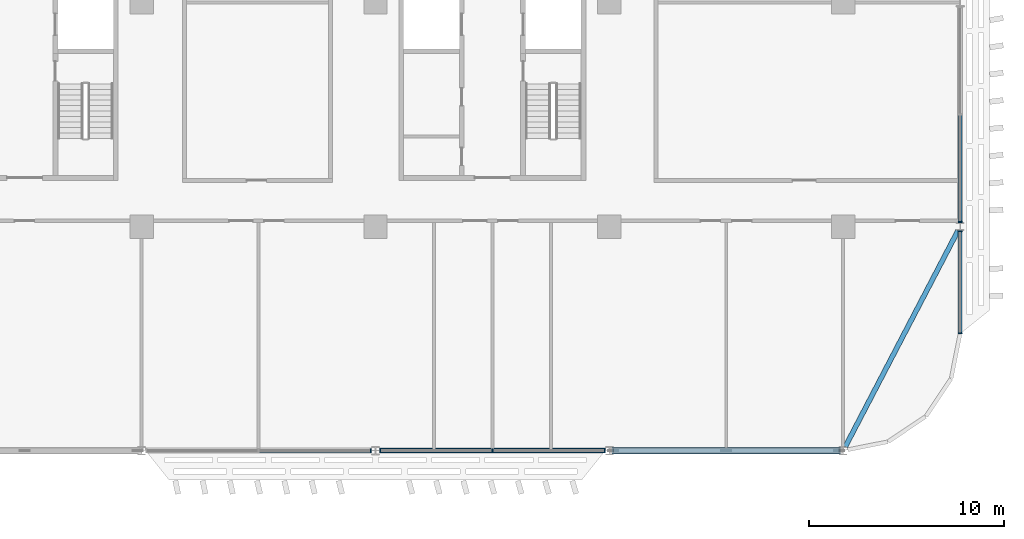
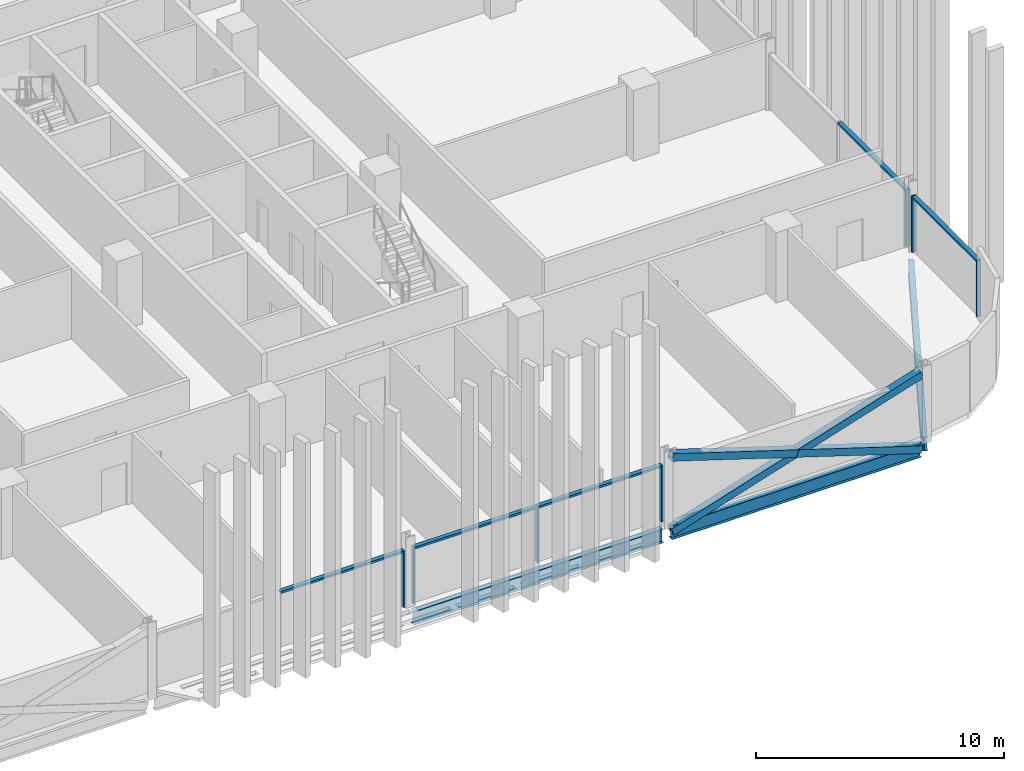
# One storey, part 8 of 28: 15 members, 3 beams, 4 elements without a shape of their own.
"""IFC4 building model written with IfcOpenShell, lengths in metres."""

import ifcopenshell
import ifcopenshell.guid

model = None  # the IFC model being written
_history = None  # IfcOwnerHistory: only IFC2X3 demands one
_inside = {}  # id of a spatial element -> (the spatial element, [elements in it])
_under = {}  # id of a project, library or spatial element -> (it, [spatial elements below it])
_declared = {}  # id of a project -> (the project, [libraries it declares])
_typed = {}  # id of a type object -> (the type object, [elements of that type])
_made_of = {}  # id of a material, layer set ... -> (it, [elements and type objects made of it])


def new_model(schema):
    """Start an empty IFC model of exactly this schema.

    Asked for "IFC4X3", IfcOpenShell would pick the latest addendum, in which some entities
    have other attributes; the version numbers below select the first issue.
    IFC2X3 requires an IfcOwnerHistory on every rooted entity: one is made here for all.
    """
    global model, _history
    if schema == "IFC4X3":
        model = ifcopenshell.file(schema_version=(4, 3, 0, 0))
    else:
        model = ifcopenshell.file(schema=schema)
    _inside.clear()
    _under.clear()
    _declared.clear()
    _typed.clear()
    _made_of.clear()
    _history = None
    if model.schema == "IFC2X3":
        org = make("IfcOrganization", Name="unknown")
        user = make(
            "IfcPersonAndOrganization",
            ThePerson=make("IfcPerson", FamilyName="unknown"),
            TheOrganization=org,
        )
        app = make(
            "IfcApplication",
            ApplicationDeveloper=org,
            Version="unknown",
            ApplicationFullName="unknown",
            ApplicationIdentifier="unknown",
        )
        _history = make(
            "IfcOwnerHistory",
            OwningUser=user,
            OwningApplication=app,
            ChangeAction="ADDED",
            CreationDate=0,
        )
    return model


def make(cls, **values):
    """One entity of the class cls with the attributes given. An attribute that is None is left unset."""
    return model.create_entity(
        cls, **{name: value for name, value in values.items() if value is not None}
    )


def rooted(cls, **values):
    """An entity with a GlobalId (a new one), such as an element, a storey or a relation."""
    return make(cls, GlobalId=ifcopenshell.guid.new(), OwnerHistory=_history, **values)


def si_unit(unit_type, name, prefix=None):
    """IfcSIUnit, for example si_unit("LENGTHUNIT", "METRE", prefix="MILLI")."""
    return make("IfcSIUnit", UnitType=unit_type, Prefix=prefix, Name=name)


def assignment(units):
    """IfcUnitAssignment: the units of a project."""
    return None if units is None else make("IfcUnitAssignment", Units=units)


def point(xyz):
    """IfcCartesianPoint."""
    return None if xyz is None else make("IfcCartesianPoint", Coordinates=xyz)


def direction(xyz):
    """IfcDirection."""
    return None if xyz is None else make("IfcDirection", DirectionRatios=xyz)


def frame(location, z_axis=None, x_axis=None):
    """IfcAxis2Placement3D, a coordinate frame: its origin and axes. An axis left out is left unset."""
    return make(
        "IfcAxis2Placement3D",
        Location=point(location),
        Axis=direction(z_axis),
        RefDirection=direction(x_axis),
    )


def frame_2d(location, x_axis=None):
    """IfcAxis2Placement2D, a coordinate frame in the plane: its origin and x axis."""
    return make(
        "IfcAxis2Placement2D", Location=point(location), RefDirection=direction(x_axis)
    )


def origin():
    """The frame at (0, 0, 0) with its axes left unset."""
    return frame((0.0, 0.0, 0.0))


def origin_2d():
    """The frame at (0, 0) in the plane with its x axis left unset."""
    return frame_2d((0.0, 0.0))


def place(relative_to, where):
    """IfcLocalPlacement: puts the frame where relative to a parent placement (None: the world)."""
    return make(
        "IfcLocalPlacement", PlacementRelTo=relative_to, RelativePlacement=where
    )


def context(
    kind, dimensions, precision=None, world=None, true_north=None, identifier=None
):
    """IfcGeometricRepresentationContext, for example the 3D "Model" context."""
    return make(
        "IfcGeometricRepresentationContext",
        ContextIdentifier=identifier,
        ContextType=kind,
        CoordinateSpaceDimension=dimensions,
        Precision=precision,
        WorldCoordinateSystem=world,
        TrueNorth=true_north,
    )


def subcontext(parent, identifier, kind, view, scale=None):
    """IfcGeometricRepresentationSubContext, for example "Body" below "Model"."""
    return make(
        "IfcGeometricRepresentationSubContext",
        ContextIdentifier=identifier,
        ContextType=kind,
        ParentContext=parent,
        TargetScale=scale,
        TargetView=view,
    )


def project(units=None, contexts=None):
    """IfcProject with its units and contexts."""
    return rooted(
        "IfcProject",
        Name="project",
        RepresentationContexts=contexts,
        UnitsInContext=assignment(units),
    )


def spatial(cls, under=None, at=None, **own):
    """A site, building, storey or space (cls), placed at a placement, below another one or the project."""
    s = rooted(cls, ObjectPlacement=at, **own)
    if under is not None:
        _under.setdefault(under.id(), (under, []))[1].append(s)
    return s


def profile(cls, at=None, kind="AREA", **sizes):
    """A parametric profile (cls). Its sizes go by their IFC names, for example OverallWidth=200.0."""
    return make(cls, ProfileType=kind, Position=at, **sizes)


def rectangle(**sizes):
    """IfcRectangleProfileDef."""
    return profile("IfcRectangleProfileDef", **sizes)


def hollow_rectangle(**sizes):
    """IfcRectangleHollowProfileDef."""
    return profile("IfcRectangleHollowProfileDef", **sizes)


def i_section(**sizes):
    """IfcIShapeProfileDef."""
    return profile("IfcIShapeProfileDef", **sizes)


def extrude(swept, where, along, depth):
    """IfcExtrudedAreaSolid: the profile swept, set in the frame where, extruded along a direction by depth."""
    return make(
        "IfcExtrudedAreaSolid",
        SweptArea=swept,
        Position=where,
        ExtrudedDirection=direction(along),
        Depth=depth,
    )


def shape(context_of_items, identifier, shape_type, items):
    """IfcShapeRepresentation: the items that make up one representation, for example the "Body"."""
    return make(
        "IfcShapeRepresentation",
        ContextOfItems=context_of_items,
        RepresentationIdentifier=identifier,
        RepresentationType=shape_type,
        Items=items,
    )


def material(Name=None, Category=None):
    """IfcMaterial."""
    return make("IfcMaterial", Name=Name, Category=Category)


def material_profile(
    of_material, cross_section, Name=None, Category=None, Priority=None
):
    """IfcMaterialProfile: a cross section and its material."""
    return make(
        "IfcMaterialProfile",
        Name=Name,
        Material=of_material,
        Profile=cross_section,
        Priority=Priority,
        Category=Category,
    )


def profile_set(profiles, Name=None, composite=None):
    """IfcMaterialProfileSet."""
    return make(
        "IfcMaterialProfileSet",
        Name=Name,
        MaterialProfiles=profiles,
        CompositeProfile=composite,
    )


def made_of(thing, what):
    """Note that an element or type object is made of a material, layer set ...; save() writes the relation."""
    if what is not None:
        _made_of.setdefault(what.id(), (what, []))[1].append(thing)
    return thing


def type_object(cls, material=None, **own):
    """A type object (cls), such as IfcWallType, which elements share."""
    return made_of(rooted(cls, **own), material)


def element(
    cls,
    number,
    at=None,
    inside=None,
    cuts=None,
    type_object=None,
    material=None,
    context=None,
    identifier="Body",
    shape_type=None,
    held_by="IfcProductDefinitionShape",
    body=None,
    shapes=None,
    **own,
):
    """One element of the class cls, such as IfcWall. Its Tag is "e" and its number.

    at: its placement. inside: the storey or other place that contains it. cuts: it is an
    opening in that element (IfcRelVoidsElement). A single representation is given by context,
    identifier, shape_type and body (its items); several are given by shapes. held_by: the class
    of the entity that holds the representations. save() writes the other relations.
    """
    e = rooted(cls, Tag="e%d" % number, ObjectPlacement=at, **own)
    if body is not None:
        shapes = [shape(context, identifier, shape_type, body)]
    if shapes is not None:
        e.Representation = make(held_by, Representations=shapes)
    if inside is not None:
        _inside.setdefault(inside.id(), (inside, []))[1].append(e)
    if cuts is not None:
        rooted(
            "IfcRelVoidsElement", RelatingBuildingElement=cuts, RelatedOpeningElement=e
        )
    if type_object is not None:
        _typed.setdefault(type_object.id(), (type_object, []))[1].append(e)
    return made_of(e, material)


def aggregate(whole, parts):
    """IfcRelAggregates: a whole, such as a stair, and the parts it consists of."""
    return rooted("IfcRelAggregates", RelatingObject=whole, RelatedObjects=parts)


def save(model, path):
    """Write the relations noted so far, then the file.

    IfcRelAggregates (storeys below a building ...), IfcRelContainedInSpatialStructure (elements
    in a storey), IfcRelDefinesByType, IfcRelAssociatesMaterial and IfcRelDeclares: one each for
    every whole, place, type object, material and project.
    """
    for whole, parts in _under.values():
        aggregate(whole, parts)
    for where, things in _inside.values():
        rooted(
            "IfcRelContainedInSpatialStructure",
            RelatedElements=things,
            RelatingStructure=where,
        )
    for kind, things in _typed.values():
        rooted("IfcRelDefinesByType", RelatedObjects=things, RelatingType=kind)
    for what, things in _made_of.values():
        rooted("IfcRelAssociatesMaterial", RelatedObjects=things, RelatingMaterial=what)
    for by, libraries in _declared.values():
        rooted("IfcRelDeclares", RelatingContext=by, RelatedDefinitions=libraries)
    model.write(path)


model = new_model("IFC4")

# Units and contexts
model_context = context("Model", 3, precision=1e-05, world=origin(), true_north=direction((0.0, 1.0)))
body_context = subcontext(model_context, "Body", "Model", "MODEL_VIEW")
ifc_project = project(units=[si_unit("LENGTHUNIT", "METRE"), si_unit("AREAUNIT", "SQUARE_METRE"), si_unit("VOLUMEUNIT", "CUBIC_METRE"), si_unit("PLANEANGLEUNIT", "RADIAN"), si_unit("MASSUNIT", "GRAM", prefix="KILO")], contexts=[model_context])

# Site, building, storey
site_placement = place(None, origin())
site = spatial("IfcSite", under=ifc_project, at=site_placement, CompositionType="ELEMENT")
building_placement = place(site_placement, origin())
building = spatial("IfcBuilding", under=site, at=building_placement, Name="Mahtab Terrace Research Tower", CompositionType="ELEMENT")
storey_placement = place(building_placement, frame((0.0, 0.0, 174.39990234375)))
storey = spatial("IfcBuildingStorey", under=building, at=storey_placement, Name="L41", CompositionType="ELEMENT", Elevation=174.39990234375)

# Members
ifc_material_1 = material(Name="Steel ASTM A500 Gr C", Category="steel")
ifc_material_profile_1 = material_profile(ifc_material_1, hollow_rectangle(XDim=0.355712890625, YDim=0.355712890625, WallThickness=0.015869140625, at=origin_2d()), Name="HSS14X14X5/8")
ifc_profile_set_1 = profile_set([ifc_material_profile_1], Name="Steel ASTM A500 Gr C")
member_type_1 = type_object("IfcMemberType", Name="HSS 14x14x5/8 brace XB141458", PredefinedType="BRACE", material=ifc_profile_set_1)
member_1_placement = place(storey_placement, frame((30.203125, -23.0, -0.61474609375), z_axis=(0.953341454971, 0.0, 0.301894137463), x_axis=(0.0, 1.0, 0.0)))
element("IfcMember", 1, at=member_1_placement, inside=storey, type_object=member_type_1, Name="Exoskeleton brace L41 18 a", PredefinedType="BRACE", context=body_context, shape_type="SweptSolid", body=[
    extrude(hollow_rectangle(XDim=0.355712890625, YDim=0.355712890625, WallThickness=0.015869140625, at=origin_2d()), origin(), (0.0, 0.0, 1.0), 12.1611328125),
])
for number, where, z_axis, x_axis, name in (
    (2, (41.796875, -23.0, -0.61474609375), (-0.953341454971, 0.0, 0.301894137463), (0.0, -1.0, 0.0), "Exoskeleton brace L41 18 b1"),
    (3, (36.0, -23.0, 1.220947265625), (-0.953341454971, 0.0, 0.301894137463), (0.0, -1.0, 0.0), "Exoskeleton brace L41 18 b2"),
):
    element("IfcMember", number, at=place(storey_placement, frame(where, z_axis=z_axis, x_axis=x_axis)), inside=storey, type_object=member_type_1, Name=name, PredefinedType="BRACE", context=body_context, shape_type="SweptSolid", body=[
        extrude(hollow_rectangle(XDim=0.355712890625, YDim=0.355712890625, WallThickness=0.015869140625, at=origin_2d()), origin(), (0.0, 0.0, 1.0), 6.08056640625),
    ])

# Curtain wall, member
ifc_material_2 = material(Name="Laboratory ribbon curtain wall")
curtain_wall_type = type_object("IfcCurtainWallType", Name="Laboratory ribbon curtain wall", PredefinedType="NOTDEFINED", material=ifc_material_2)
curtain_wall_1_placement = place(storey_placement, origin())
curtain_wall_1 = element("IfcCurtainWall", 4, at=curtain_wall_1_placement, inside=storey, type_object=curtain_wall_type, Name="EN.L41.13.27", PredefinedType="NOTDEFINED")
ifc_material_3 = material(Name="Natural anodised aluminium", Category="aluminium")
ifc_material_profile_2 = material_profile(ifc_material_3, rectangle(XDim=0.199951171875, YDim=0.06494140625, at=origin_2d()), Name="MULLION 65x200")
ifc_profile_set_2 = profile_set([ifc_material_profile_2], Name="Natural anodised aluminium")
member_type_2 = type_object("IfcMemberType", Name="Laboratory ribbon curtain wall mullion", PredefinedType="MULLION", material=ifc_profile_set_2)
member_2_placement = place(storey_placement, frame((17.759521484375, -23.0, 0.0), z_axis=(0.0, 0.0, 1.0), x_axis=(0.0, 1.0, 0.0)))
member_2 = element("IfcMember", 5, at=member_2_placement, type_object=member_type_2, Name="CWL-5 mullion 3", PredefinedType="MULLION", context=body_context, shape_type="SweptSolid", body=[
    extrude(rectangle(XDim=0.199951171875, YDim=0.06494140625, at=origin_2d()), origin(), (0.0, 0.0, 1.0), 2.781982421875),
])

# Curtain wall, members
curtain_wall_2_placement = place(storey_placement, origin())
curtain_wall_2 = element("IfcCurtainWall", 6, at=curtain_wall_2_placement, inside=storey, type_object=curtain_wall_type, Name="EN.L41.13.28", PredefinedType="NOTDEFINED")
member_3_placement = place(storey_placement, frame((18.240478515625, -23.0, 0.0), z_axis=(0.0, 0.0, 1.0), x_axis=(0.0, 1.0, 0.0)))
member_3 = element("IfcMember", 7, at=member_3_placement, type_object=member_type_2, Name="CWL-5 mullion 1", PredefinedType="MULLION", context=body_context, shape_type="SweptSolid", body=[
    extrude(rectangle(XDim=0.199951171875, YDim=0.06494140625, at=origin_2d()), origin(), (0.0, 0.0, 1.0), 2.781982421875),
])
member_4_placement = place(storey_placement, frame((24.0, -23.0, 0.0), z_axis=(0.0, 0.0, 1.0), x_axis=(0.0, 1.0, 0.0)))
member_4 = element("IfcMember", 8, at=member_4_placement, type_object=member_type_2, Name="CWL-5 mullion 2", PredefinedType="MULLION", context=body_context, shape_type="SweptSolid", body=[
    extrude(rectangle(XDim=0.199951171875, YDim=0.06494140625, at=origin_2d()), origin(), (0.0, 0.0, 1.0), 2.781982421875),
])
member_5_placement = place(storey_placement, frame((29.759521484375, -23.0, 0.0), z_axis=(0.0, 0.0, 1.0), x_axis=(0.0, 1.0, 0.0)))
member_5 = element("IfcMember", 9, at=member_5_placement, type_object=member_type_2, Name="CWL-5 mullion 3", PredefinedType="MULLION", context=body_context, shape_type="SweptSolid", body=[
    extrude(rectangle(XDim=0.199951171875, YDim=0.06494140625, at=origin_2d()), origin(), (0.0, 0.0, 1.0), 2.781982421875),
])

curtain_wall_3_placement = place(storey_placement, origin())
curtain_wall_3 = element("IfcCurtainWall", 10, at=curtain_wall_3_placement, inside=storey, type_object=curtain_wall_type, Name="EN.L41.18.34", PredefinedType="NOTDEFINED")
member_6_placement = place(storey_placement, frame((48.0, -16.967529296875, 0.0), z_axis=(0.0, 0.0, 1.0), x_axis=(-1.0, 0.0, 0.0)))
member_6 = element("IfcMember", 11, at=member_6_placement, type_object=member_type_2, Name="CWL-5 mullion 1", PredefinedType="MULLION", context=body_context, shape_type="SweptSolid", body=[
    extrude(rectangle(XDim=0.199951171875, YDim=0.06494140625, at=origin_2d()), origin(), (0.0, 0.0, 1.0), 2.781982421875),
])
member_7_placement = place(storey_placement, frame((48.0, -11.740478515625, 0.0), z_axis=(0.0, 0.0, 1.0), x_axis=(-1.0, 0.0, 0.0)))
member_7 = element("IfcMember", 12, at=member_7_placement, type_object=member_type_2, Name="CWL-5 mullion 2", PredefinedType="MULLION", context=body_context, shape_type="SweptSolid", body=[
    extrude(rectangle(XDim=0.199951171875, YDim=0.06494140625, at=origin_2d()), origin(), (0.0, 0.0, 1.0), 2.781982421875),
])

# Curtain wall, member
curtain_wall_4_placement = place(storey_placement, origin())
curtain_wall_4 = element("IfcCurtainWall", 13, at=curtain_wall_4_placement, inside=storey, type_object=curtain_wall_type, Name="EN.L41.18.35", PredefinedType="NOTDEFINED")
member_8_placement = place(storey_placement, frame((48.0, -11.259521484375, 0.0), z_axis=(0.0, 0.0, 1.0), x_axis=(-1.0, 0.0, 0.0)))
member_8 = element("IfcMember", 14, at=member_8_placement, type_object=member_type_2, Name="CWL-5 mullion 1", PredefinedType="MULLION", context=body_context, shape_type="SweptSolid", body=[
    extrude(rectangle(XDim=0.199951171875, YDim=0.06494140625, at=origin_2d()), origin(), (0.0, 0.0, 1.0), 2.781982421875),
])

# Member
ifc_material_profile_3 = material_profile(ifc_material_3, rectangle(XDim=0.199951171875, YDim=0.10009765625, at=origin_2d()), Name="TRANSOM 100x200")
ifc_profile_set_3 = profile_set([ifc_material_profile_3], Name="Natural anodised aluminium")
member_type_3 = type_object("IfcMemberType", Name="Laboratory ribbon curtain wall transom", PredefinedType="USERDEFINED", material=ifc_profile_set_3)
member_9_placement = place(storey_placement, frame((12.032470703125, -23.0, 2.73193359375), z_axis=(1.0, 0.0, 0.0), x_axis=(0.0, 1.0, 0.0)))
member_9 = element("IfcMember", 15, at=member_9_placement, type_object=member_type_3, Name="CWL-5 transom 2", ObjectType="TRANSOM", PredefinedType="USERDEFINED", context=body_context, shape_type="SweptSolid", body=[
    extrude(rectangle(XDim=0.199951171875, YDim=0.10009765625, at=origin_2d()), origin(), (0.0, 0.0, 1.0), 5.694580078125),
])

aggregate(curtain_wall_1, [member_2, member_9])

member_10_placement = place(storey_placement, frame((18.27294921875, -23.0, 2.73193359375), z_axis=(1.0, 0.0, 0.0), x_axis=(0.0, 1.0, 0.0)))
member_10 = element("IfcMember", 16, at=member_10_placement, type_object=member_type_3, Name="CWL-5 transom 1", ObjectType="TRANSOM", PredefinedType="USERDEFINED", context=body_context, shape_type="SweptSolid", body=[
    extrude(rectangle(XDim=0.199951171875, YDim=0.10009765625, at=origin_2d()), origin(), (0.0, 0.0, 1.0), 5.694580078125),
])

member_11_placement = place(storey_placement, frame((24.032470703125, -23.0, 2.73193359375), z_axis=(1.0, 0.0, 0.0), x_axis=(0.0, 1.0, 0.0)))
member_11 = element("IfcMember", 17, at=member_11_placement, type_object=member_type_3, Name="CWL-5 transom 2", ObjectType="TRANSOM", PredefinedType="USERDEFINED", context=body_context, shape_type="SweptSolid", body=[
    extrude(rectangle(XDim=0.199951171875, YDim=0.10009765625, at=origin_2d()), origin(), (0.0, 0.0, 1.0), 5.694580078125),
])

aggregate(curtain_wall_2, [member_3, member_4, member_5, member_10, member_11])

member_12_placement = place(storey_placement, frame((48.0, -16.93505859375, 2.73193359375), z_axis=(0.0, 1.0, 0.0), x_axis=(-1.0, 0.0, 0.0)))
member_12 = element("IfcMember", 18, at=member_12_placement, type_object=member_type_3, Name="CWL-5 transom 1", ObjectType="TRANSOM", PredefinedType="USERDEFINED", context=body_context, shape_type="SweptSolid", body=[
    extrude(rectangle(XDim=0.199951171875, YDim=0.10009765625, at=origin_2d()), origin(), (0.0, 0.0, 1.0), 5.162109375),
])

aggregate(curtain_wall_3, [member_6, member_7, member_12])

member_13_placement = place(storey_placement, frame((48.0, -11.22705078125, 2.73193359375), z_axis=(0.0, 1.0, 0.0), x_axis=(-1.0, 0.0, 0.0)))
member_13 = element("IfcMember", 19, at=member_13_placement, type_object=member_type_3, Name="CWL-5 transom 1", ObjectType="TRANSOM", PredefinedType="USERDEFINED", context=body_context, shape_type="SweptSolid", body=[
    extrude(rectangle(XDim=0.199951171875, YDim=0.10009765625, at=origin_2d()), origin(), (0.0, 0.0, 1.0), 5.444580078125),
])

aggregate(curtain_wall_4, [member_8, member_13])

# Beams
ifc_material_4 = material(Name="Steel ASTM A992 Gr 50", Category="steel")
ifc_material_profile_4 = material_profile(ifc_material_4, i_section(OverallWidth=0.25390625, OverallDepth=0.67822265625, WebThickness=0.01171875, FlangeThickness=0.016357421875, at=origin_2d()), Name="W27X84")
ifc_profile_set_4 = profile_set([ifc_material_profile_4], Name="Steel ASTM A992 Gr 50")
beam_type = type_object("IfcBeamType", Name="W27x84 beam BS2784", PredefinedType="BEAM", material=ifc_profile_set_4)
for number, where, z_axis, x_axis, name in (
    (20, (18.203125, -23.0, -0.678955078125), (1.0, 0.0, 0.0), (0.0, 1.0, 0.0), "Spandrel beam L41 17"),
    (21, (30.203125, -23.0, -0.678955078125), (1.0, 0.0, 0.0), (0.0, 1.0, 0.0), "Spandrel beam L41 18"),
):
    element("IfcBeam", number, at=place(storey_placement, frame(where, z_axis=z_axis, x_axis=x_axis)), inside=storey, type_object=beam_type, Name=name, PredefinedType="BEAM", context=body_context, shape_type="SweptSolid", body=[
        extrude(i_section(OverallWidth=0.25390625, OverallDepth=0.67822265625, WebThickness=0.01171875, FlangeThickness=0.016357421875, at=origin_2d()), origin(), (0.0, 0.0, 1.0), 11.59375),
    ])
beam_placement = place(storey_placement, frame((42.108642578125, -22.791748046875, -0.678955078125), z_axis=(0.462567341525, 0.886584149731, 0.0), x_axis=(-0.886584149731, 0.462567341525, 0.0)))
element("IfcBeam", 22, at=beam_placement, inside=storey, type_object=beam_type, Name="Spandrel beam L41 19", PredefinedType="BEAM", context=body_context, shape_type="SweptSolid", body=[
    extrude(i_section(OverallWidth=0.25390625, OverallDepth=0.67822265625, WebThickness=0.01171875, FlangeThickness=0.016357421875, at=origin_2d()), origin(), (0.0, 0.0, 1.0), 12.50146484375),
])

save(model, "model.ifc")
